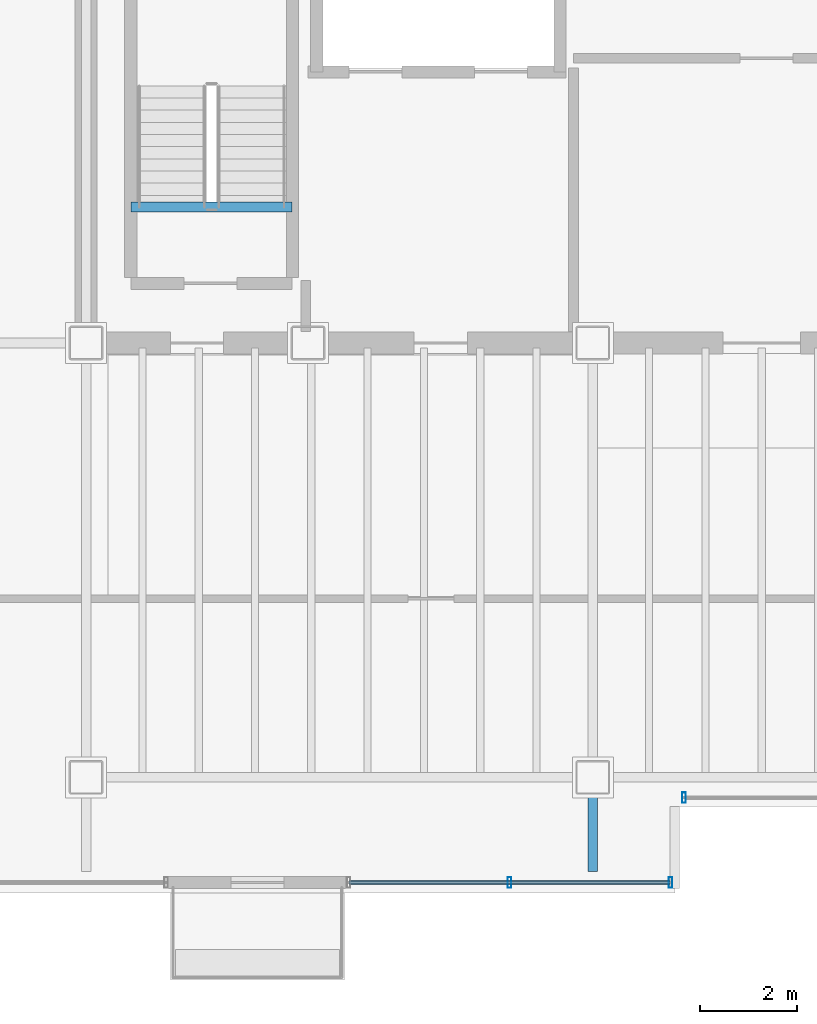
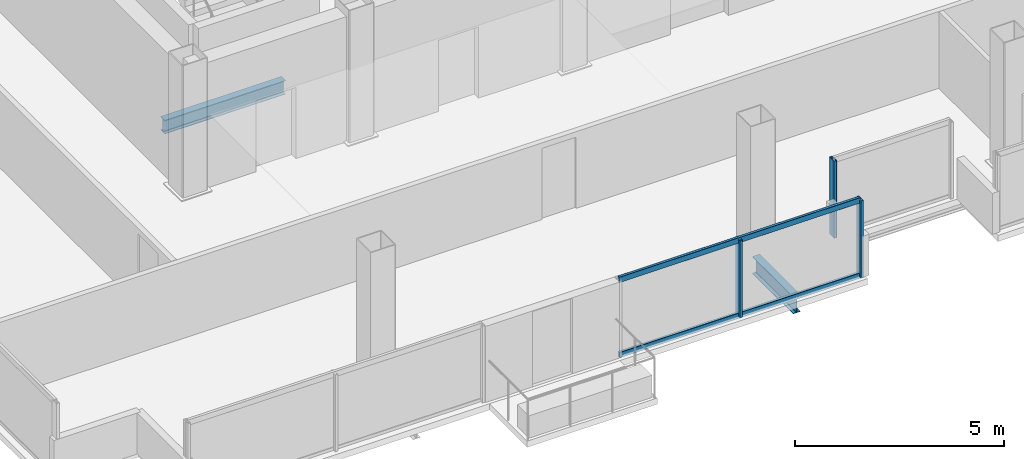
# One storey, part 4 of 16: 5 members, 2 beams, 2 elements without a shape of their own.
"""IFC4 building model written with IfcOpenShell, lengths in metres."""

from ifc_helpers import new_model, si_unit, direction, frame, origin, origin_2d, place, context, subcontext, project, spatial, hollow_rectangle, i_section, extrude, material, material_profile, profile_set, type_object, element, aggregate, save


model = new_model("IFC4")

# Units and contexts
model_context = context("Model", 3, precision=1e-05, world=origin(), true_north=direction((0.0, 1.0)))
body_context = subcontext(model_context, "Body", "Model", "MODEL_VIEW")
ifc_project = project(units=[si_unit("LENGTHUNIT", "METRE"), si_unit("AREAUNIT", "SQUARE_METRE"), si_unit("VOLUMEUNIT", "CUBIC_METRE"), si_unit("PLANEANGLEUNIT", "RADIAN"), si_unit("MASSUNIT", "GRAM", prefix="KILO")], contexts=[model_context])

# Site, building, storey
site_placement = place(None, origin())
site = spatial("IfcSite", under=ifc_project, at=site_placement, CompositionType="ELEMENT")
building_placement = place(site_placement, origin())
building = spatial("IfcBuilding", under=site, at=building_placement, Name="Noeulbin Bourse Tower", CompositionType="ELEMENT")
storey_placement = place(building_placement, frame((0.0, 0.0, 277.39990234375)))
storey = spatial("IfcBuildingStorey", under=building, at=storey_placement, Name="L69", CompositionType="ELEMENT", Elevation=277.39990234375)

# Beams
ifc_material_1 = material(Name="Steel S355", Category="steel")
ifc_material_profile_1 = material_profile(ifc_material_1, i_section(OverallWidth=0.199951171875, OverallDepth=0.5, WebThickness=0.010009765625, FlangeThickness=0.01611328125, FilletRadius=0.02001953125, at=origin_2d()), Name="H-500x200x10x16", Category="LoadBearing")
ifc_profile_set_1 = profile_set([ifc_material_profile_1], Name="Steel S355")
beam_type_1 = type_object("IfcBeamType", Name="BM-GRD-500", PredefinedType="USERDEFINED", material=ifc_profile_set_1)
beam_1_placement = place(storey_placement, frame((24.0, 18.050048828125, -0.429931640625), z_axis=(0.0, 1.0, 0.0), x_axis=(-1.0, 0.0, 0.0)))
element("IfcBeam", 1, at=beam_1_placement, inside=storey, type_object=beam_type_1, Name="Tower Primary Girder NS L69-2.1", ObjectType="GIRDER", PredefinedType="USERDEFINED", context=body_context, shape_type="SweptSolid", body=[
    extrude(i_section(OverallWidth=0.199951171875, OverallDepth=0.5, WebThickness=0.010009765625, FlangeThickness=0.01611328125, FilletRadius=0.02001953125, at=origin_2d()), origin(), (0.0, 0.0, 1.0), 1.949951171875),
])
ifc_material_profile_2 = material_profile(ifc_material_1, i_section(OverallWidth=0.199951171875, OverallDepth=0.39990234375, WebThickness=0.008056640625, FlangeThickness=0.012939453125, FilletRadius=0.01611328125, at=origin_2d()), Name="H-400x200x8x13", Category="LoadBearing")
ifc_profile_set_2 = profile_set([ifc_material_profile_2], Name="Steel S355")
beam_type_2 = type_object("IfcBeamType", Name="BM-SEC-400", PredefinedType="BEAM", material=ifc_profile_set_2)
beam_2_placement = place(storey_placement, frame((14.429931640625, 31.820068359375, -0.199951171875), z_axis=(1.0, 0.0, 0.0), x_axis=(0.0, 1.0, 0.0)))
element("IfcBeam", 2, at=beam_2_placement, inside=storey, type_object=beam_type_2, Name="Stair Threshold Trimmer Beam ST1-L69", PredefinedType="BEAM", context=body_context, shape_type="SweptSolid", body=[
    extrude(i_section(OverallWidth=0.199951171875, OverallDepth=0.39990234375, WebThickness=0.008056640625, FlangeThickness=0.012939453125, FilletRadius=0.01611328125, at=origin_2d()), origin(), (0.0, 0.0, 1.0), 3.340087890625),
])

# Curtain wall, member
ifc_material_2 = material(Name="High-Selectivity Low-Iron Glazing", Category="glass")
curtain_wall_type = type_object("IfcCurtainWallType", Name="CW-SYS-4", PredefinedType="NOTDEFINED", material=ifc_material_2)
curtain_wall_1_placement = place(storey_placement, origin())
curtain_wall_1 = element("IfcCurtainWall", 3, at=curtain_wall_1_placement, inside=storey, type_object=curtain_wall_type, Name="Unitised Curtain Wall CW-L69-SREC", PredefinedType="NOTDEFINED")
ifc_material_3 = material(Name="Anodised Aluminium 6063-T6", Category="aluminium")
ifc_material_profile_3 = material_profile(ifc_material_3, hollow_rectangle(XDim=0.074951171875, YDim=0.219970703125, WallThickness=0.0048828125, InnerFilletRadius=0.00244140625, OuterFilletRadius=0.0048828125, at=origin_2d()), Name="ALU-MULL-75x220x5", Category="LoadBearing")
ifc_profile_set_3 = profile_set([ifc_material_profile_3], Name="Anodised Aluminium 6063-T6")
member_type_1 = type_object("IfcMemberType", Name="CW-SYS-4-MUL", PredefinedType="MULLION", material=ifc_profile_set_3)
member_1_placement = place(storey_placement, frame((25.889892578125, 19.580078125, -0.02001953125), z_axis=(0.0, 0.0, 1.0), x_axis=(1.0, 0.0, 0.0)))
member_1 = element("IfcMember", 4, at=member_1_placement, type_object=member_type_1, Name="Curtain Wall Mullion CW-L69-SREC-M00", PredefinedType="MULLION", context=body_context, shape_type="SweptSolid", body=[
    extrude(hollow_rectangle(XDim=0.074951171875, YDim=0.219970703125, WallThickness=0.0048828125, InnerFilletRadius=0.00244140625, OuterFilletRadius=0.0048828125, at=origin_2d()), origin(), (0.0, 0.0, 1.0), 2.260009765625),
])
aggregate(curtain_wall_1, [member_1])

# Curtain wall, members
curtain_wall_2_placement = place(storey_placement, origin())
curtain_wall_2 = element("IfcCurtainWall", 5, at=curtain_wall_2_placement, inside=storey, type_object=curtain_wall_type, Name="Unitised Curtain Wall CW-L69-S2", PredefinedType="NOTDEFINED")
member_2_placement = place(storey_placement, frame((22.27490234375, 17.820068359375, -0.02001953125), z_axis=(0.0, 0.0, 1.0), x_axis=(1.0, 0.0, 0.0)))
member_2 = element("IfcMember", 6, at=member_2_placement, type_object=member_type_1, Name="Curtain Wall Mullion CW-L69-S2-M01", PredefinedType="MULLION", context=body_context, shape_type="SweptSolid", body=[
    extrude(hollow_rectangle(XDim=0.074951171875, YDim=0.219970703125, WallThickness=0.0048828125, InnerFilletRadius=0.00244140625, OuterFilletRadius=0.0048828125, at=origin_2d()), origin(), (0.0, 0.0, 1.0), 2.260009765625),
])
member_3_placement = place(storey_placement, frame((25.610107421875, 17.820068359375, -0.02001953125), z_axis=(0.0, 0.0, 1.0), x_axis=(1.0, 0.0, 0.0)))
member_3 = element("IfcMember", 7, at=member_3_placement, type_object=member_type_1, Name="Curtain Wall Mullion CW-L69-S2-M02", PredefinedType="MULLION", context=body_context, shape_type="SweptSolid", body=[
    extrude(hollow_rectangle(XDim=0.074951171875, YDim=0.219970703125, WallThickness=0.0048828125, InnerFilletRadius=0.00244140625, OuterFilletRadius=0.0048828125, at=origin_2d()), origin(), (0.0, 0.0, 1.0), 2.260009765625),
])
ifc_material_profile_4 = material_profile(ifc_material_3, hollow_rectangle(XDim=0.074951171875, YDim=0.159912109375, WallThickness=0.0048828125, InnerFilletRadius=0.00244140625, OuterFilletRadius=0.0048828125, at=origin_2d()), Name="ALU-TRAN-75x160x5", Category="LoadBearing")
ifc_profile_set_4 = profile_set([ifc_material_profile_4], Name="Anodised Aluminium 6063-T6")
member_type_2 = type_object("IfcMemberType", Name="CW-SYS-4-TRN", PredefinedType="USERDEFINED", material=ifc_profile_set_4)
member_4_placement = place(storey_placement, frame((18.949951171875, 17.820068359375, 0.010009765625), z_axis=(1.0, 0.0, 0.0), x_axis=(0.0, 1.0, 0.0)))
member_4 = element("IfcMember", 8, at=member_4_placement, type_object=member_type_2, Name="Curtain Wall Transom CW-L69-S2-T00", ObjectType="TRANSOM", PredefinedType="USERDEFINED", context=body_context, shape_type="SweptSolid", body=[
    extrude(hollow_rectangle(XDim=0.074951171875, YDim=0.159912109375, WallThickness=0.0048828125, InnerFilletRadius=0.00244140625, OuterFilletRadius=0.0048828125, at=origin_2d()), origin(), (0.0, 0.0, 1.0), 6.650146484375),
])
member_5_placement = place(storey_placement, frame((18.949951171875, 17.820068359375, 2.210205078125), z_axis=(1.0, 0.0, 0.0), x_axis=(0.0, 1.0, 0.0)))
member_5 = element("IfcMember", 9, at=member_5_placement, type_object=member_type_2, Name="Curtain Wall Transom CW-L69-S2-T01", ObjectType="TRANSOM", PredefinedType="USERDEFINED", context=body_context, shape_type="SweptSolid", body=[
    extrude(hollow_rectangle(XDim=0.074951171875, YDim=0.159912109375, WallThickness=0.0048828125, InnerFilletRadius=0.00244140625, OuterFilletRadius=0.0048828125, at=origin_2d()), origin(), (0.0, 0.0, 1.0), 6.650146484375),
])
aggregate(curtain_wall_2, [member_2, member_3, member_4, member_5])

save(model, "model.ifc")
